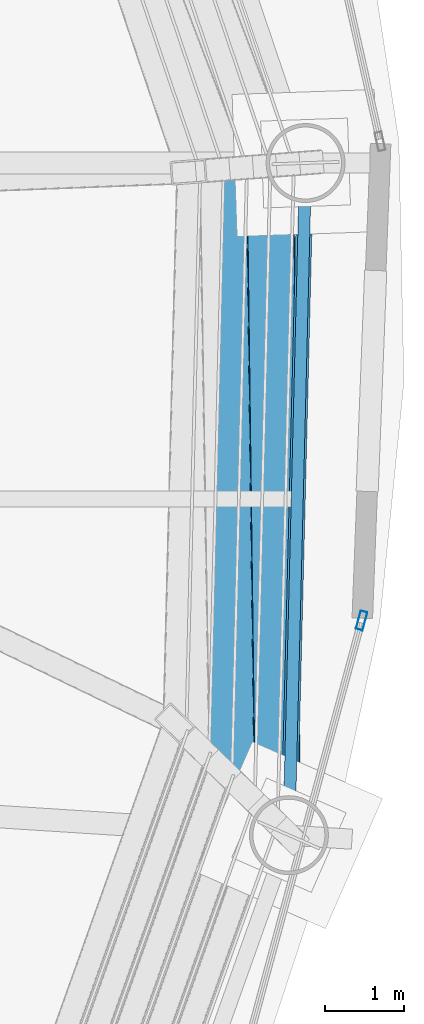
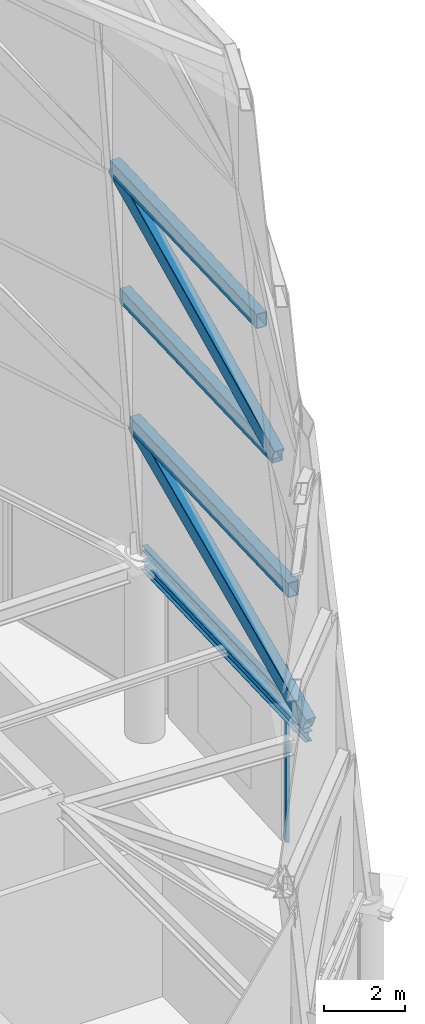
# One storey, part 19 of 40: 6 members, 2 beams, 1 element without a shape of its own.
"""IFC4 building model written with IfcOpenShell, lengths in metres."""

from ifc_helpers import new_model, si_unit, direction, frame, origin, origin_2d, place, context, subcontext, project, spatial, hollow_rectangle, i_section, extrude, material, layer, layer_set, material_profile, profile_set, type_object, element, aggregate, save


model = new_model("IFC4")

# Units and contexts
model_context = context("Model", 3, precision=1e-05, world=origin(), true_north=direction((0.0, 1.0)))
body_context = subcontext(model_context, "Body", "Model", "MODEL_VIEW")
ifc_project = project(units=[si_unit("LENGTHUNIT", "METRE"), si_unit("AREAUNIT", "SQUARE_METRE"), si_unit("VOLUMEUNIT", "CUBIC_METRE"), si_unit("PLANEANGLEUNIT", "RADIAN"), si_unit("MASSUNIT", "GRAM", prefix="KILO")], contexts=[model_context])

# Site, building, storey
site_placement = place(None, origin())
site = spatial("IfcSite", under=ifc_project, at=site_placement, CompositionType="ELEMENT")
building_placement = place(site_placement, origin())
building = spatial("IfcBuilding", under=site, at=building_placement, Name="Bramvorn Convention Spire", CompositionType="ELEMENT")
storey_placement = place(building_placement, frame((0.0, 0.0, 312.5)))
storey = spatial("IfcBuildingStorey", under=building, at=storey_placement, Name="L79", CompositionType="ELEMENT", Elevation=312.5)

# Beams
ifc_material_1 = material(Name="Steel CSA G40.21 Grade 350 (350W)", Category="steel")
ifc_material_profile_1 = material_profile(ifc_material_1, i_section(OverallWidth=0.152099609375, OverallDepth=0.152099609375, WebThickness=0.005859375, FlangeThickness=0.006591796875, FilletRadius=0.008056640625, at=origin_2d()))
ifc_profile_set_1 = profile_set([ifc_material_profile_1], Name="Steel CSA G40.21 Grade 350 (350W) - W150X22")
beam_type_1 = type_object("IfcBeamType", Name="BM-W150X22", PredefinedType="USERDEFINED", material=ifc_profile_set_1)
beam_1_placement = place(storey_placement, frame((56.023681640625, 18.116455078125, 5.60009765625), z_axis=(0.024770853371, 0.999693155335, 0.0), x_axis=(-0.999693155335, 0.024770853371, 0.0)))
element("IfcBeam", 1, at=beam_1_placement, inside=storey, type_object=beam_type_1, Name="Crown spire base glazing purlin 03", ObjectType="PURLIN", PredefinedType="USERDEFINED", context=body_context, shape_type="SweptSolid", body=[
    extrude(i_section(OverallWidth=0.152099609375, OverallDepth=0.152099609375, WebThickness=0.005859375, FlangeThickness=0.006591796875, FilletRadius=0.008056640625, at=origin_2d()), origin(), (0.0, 0.0, 1.0), 8.515625),
])
ifc_material_profile_2 = material_profile(ifc_material_1, i_section(OverallWidth=0.202880859375, OverallDepth=0.302978515625, WebThickness=0.007568359375, FlangeThickness=0.01318359375, FilletRadius=0.013916015625, at=origin_2d()))
ifc_profile_set_2 = profile_set([ifc_material_profile_2], Name="Steel CSA G40.21 Grade 350 (350W) - W310X60")
beam_type_2 = type_object("IfcBeamType", Name="BM-W310X60", PredefinedType="JOIST", material=ifc_profile_set_2)
beam_2_placement = place(storey_placement, frame((56.023681640625, 18.116455078125, 5.098388671875), z_axis=(0.024770853371, 0.999693155335, 0.0), x_axis=(-0.999693155335, 0.024770853371, 0.0)))
element("IfcBeam", 2, at=beam_2_placement, inside=storey, type_object=beam_type_2, Name="L79 mega-column ring beam 03", PredefinedType="JOIST", context=body_context, shape_type="SweptSolid", body=[
    extrude(i_section(OverallWidth=0.202880859375, OverallDepth=0.302978515625, WebThickness=0.007568359375, FlangeThickness=0.01318359375, FilletRadius=0.013916015625, at=origin_2d()), origin(), (0.0, 0.0, 1.0), 8.515625),
])

# Curtain wall, member
ifc_material_2 = material(Name="Anodised Bronze Unitised Curtain Wall", Category="aluminium")
ifc_layer = layer(ifc_material_2, 0.199951171875)
ifc_layer_set = layer_set([ifc_layer], Name="Anodised Bronze Unitised Curtain Wall - CW-CROWN-SPIRE")
curtain_wall_type = type_object("IfcCurtainWallType", Name="CW-CROWN-SPIRE", PredefinedType="USERDEFINED", material=ifc_layer_set)
curtain_wall_placement = place(storey_placement, origin())
curtain_wall = element("IfcCurtainWall", 3, at=curtain_wall_placement, inside=storey, type_object=curtain_wall_type, Name="L79 fritted glass curtain wall 04", ObjectType="UNITISED CURTAIN WALL", PredefinedType="USERDEFINED")
ifc_material_3 = material(Name="Anodised Bronze Aluminium 6063-T6", Category="aluminium")
ifc_material_profile_3 = material_profile(ifc_material_3, hollow_rectangle(XDim=0.090087890625, YDim=0.239990234375, WallThickness=0.00439453125, InnerFilletRadius=0.0009765625, OuterFilletRadius=0.00439453125, at=origin_2d()))
ifc_profile_set_3 = profile_set([ifc_material_profile_3], Name="Anodised Bronze Aluminium 6063-T6 - CWM90X240")
member_type_1 = type_object("IfcMemberType", Name="CW-MUL-220", PredefinedType="MULLION", material=ifc_profile_set_3)
member_1_placement = place(storey_placement, frame((56.945068359375, 20.8349609375, 0.0), z_axis=(0.0, 0.0, 1.0), x_axis=(0.965618064415, -0.259964908545, 0.0)))
member_1 = element("IfcMember", 4, at=member_1_placement, type_object=member_type_1, Name="CW6 mullion 1", PredefinedType="MULLION", context=body_context, shape_type="SweptSolid", body=[
    extrude(hollow_rectangle(XDim=0.090087890625, YDim=0.239990234375, WallThickness=0.00439453125, InnerFilletRadius=0.0009765625, OuterFilletRadius=0.00439453125, at=origin_2d()), origin(), (0.0, 0.0, 1.0), 5.25),
])
aggregate(curtain_wall, [member_1])

# Members
ifc_material_profile_4 = material_profile(ifc_material_1, hollow_rectangle(XDim=0.300048828125, YDim=0.449951171875, WallThickness=0.02001953125, InnerFilletRadius=0.00390625, OuterFilletRadius=0.02392578125, at=origin_2d()))
ifc_profile_set_4 = profile_set([ifc_material_profile_4], Name="Steel CSA G40.21 Grade 350 (350W) - CROWN450X300X20")
member_type_2 = type_object("IfcMemberType", Name="MBR-CROWN450X300X20", PredefinedType="USERDEFINED", material=ifc_profile_set_4)
member_2_placement = place(storey_placement, frame((55.73486328125, 18.400390625, 9.5), z_axis=(0.024774471892, 0.999693065667, 0.0), x_axis=(-0.999693065667, 0.024774471892, 0.0)))
element("IfcMember", 5, at=member_2_placement, inside=storey, type_object=member_type_2, Name="Crown spire CROWN FRAME ring beam T1-03", ObjectType="CROWN FRAME", PredefinedType="USERDEFINED", context=body_context, shape_type="SweptSolid", body=[
    extrude(hollow_rectangle(XDim=0.300048828125, YDim=0.449951171875, WallThickness=0.02001953125, InnerFilletRadius=0.00390625, OuterFilletRadius=0.02392578125, at=origin_2d()), origin(), (0.0, 0.0, 1.0), 8.208740234375),
])
member_3_placement = place(storey_placement, frame((56.023681640625, 18.116455078125, 5.5), z_axis=(-0.009104191546, 0.904592471992, 0.426180212248), x_axis=(-0.99994935765, -0.010063902553, 0.0)))
element("IfcMember", 6, at=member_3_placement, inside=storey, type_object=member_type_2, Name="Crown spire CROWN FRAME wind brace T1-03", ObjectType="CROWN FRAME", PredefinedType="USERDEFINED", context=body_context, shape_type="SweptSolid", body=[
    extrude(hollow_rectangle(XDim=0.300048828125, YDim=0.449951171875, WallThickness=0.02001953125, InnerFilletRadius=0.00390625, OuterFilletRadius=0.02392578125, at=origin_2d()), origin(), (0.0, 0.0, 1.0), 9.3857421875),
])
member_4_placement = place(storey_placement, frame((55.446044921875, 18.68408203125, 13.5), z_axis=(0.024745965918, 0.999693771698, 0.0), x_axis=(-0.999693771698, 0.024745965918, 0.0)))
element("IfcMember", 7, at=member_4_placement, inside=storey, type_object=member_type_2, Name="Crown spire CROWN FRAME ring beam T2-03", ObjectType="CROWN FRAME", PredefinedType="USERDEFINED", context=body_context, shape_type="SweptSolid", body=[
    extrude(hollow_rectangle(XDim=0.300048828125, YDim=0.449951171875, WallThickness=0.02001953125, InnerFilletRadius=0.00390625, OuterFilletRadius=0.02392578125, at=origin_2d()), origin(), (0.0, 0.0, 1.0), 7.902587890625),
])
member_5_placement = place(storey_placement, frame((55.156982421875, 18.968017578125, 17.5), z_axis=(0.02478099312, 0.999692904036, 0.0), x_axis=(-0.999692904036, 0.02478099312, 0.0)))
element("IfcMember", 8, at=member_5_placement, inside=storey, type_object=member_type_2, Name="Crown spire CROWN FRAME ring beam T3-03", ObjectType="CROWN FRAME", PredefinedType="USERDEFINED", context=body_context, shape_type="SweptSolid", body=[
    extrude(hollow_rectangle(XDim=0.300048828125, YDim=0.449951171875, WallThickness=0.02001953125, InnerFilletRadius=0.00390625, OuterFilletRadius=0.02392578125, at=origin_2d()), origin(), (0.0, 0.0, 1.0), 7.595947265625),
])
member_6_placement = place(storey_placement, frame((55.446044921875, 18.68408203125, 13.5), z_axis=(-0.011412059003, 0.891577471681, 0.452724393976), x_axis=(-0.999918091969, -0.012798802826, 0.0)))
element("IfcMember", 9, at=member_6_placement, inside=storey, type_object=member_type_2, Name="Crown spire CROWN FRAME wind brace T3-03", ObjectType="CROWN FRAME", PredefinedType="USERDEFINED", context=body_context, shape_type="SweptSolid", body=[
    extrude(hollow_rectangle(XDim=0.300048828125, YDim=0.449951171875, WallThickness=0.02001953125, InnerFilletRadius=0.00390625, OuterFilletRadius=0.02392578125, at=origin_2d()), origin(), (0.0, 0.0, 1.0), 8.83544921875),
])

save(model, "model.ifc")
